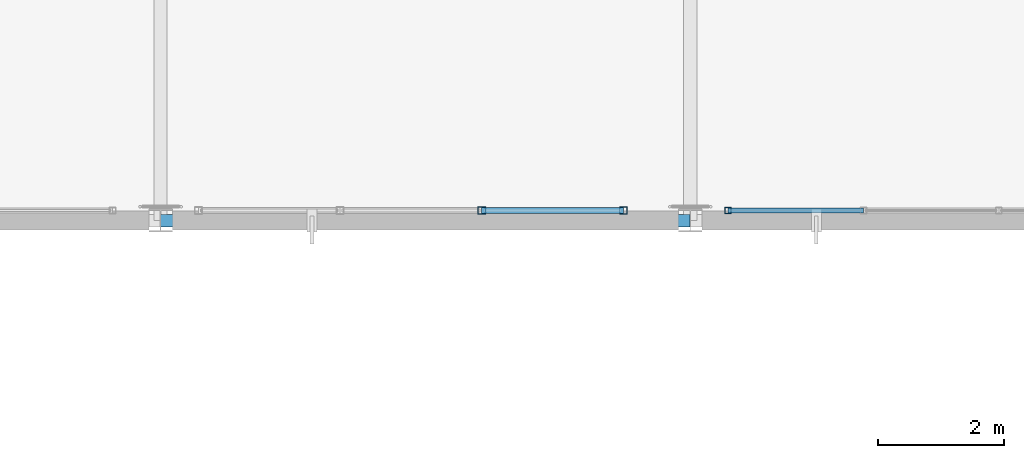
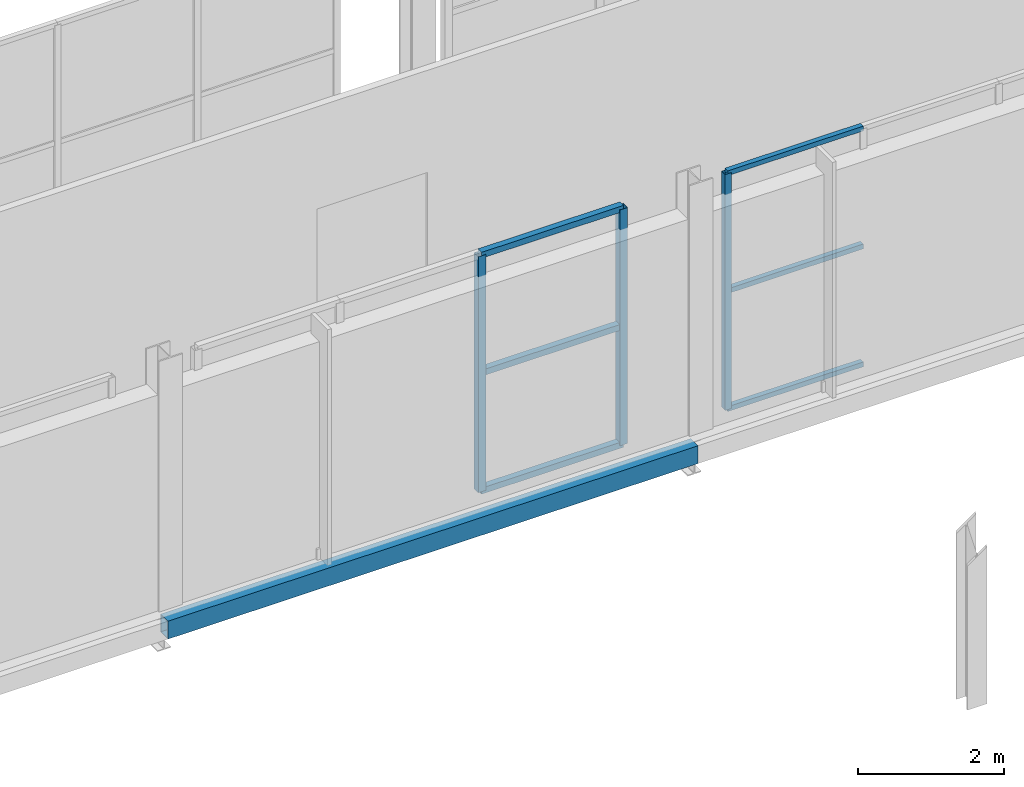
# One storey, part 46 of 217: 9 members, 1 beam, 2 elements without a shape of their own.
"""IFC4 building model written with IfcOpenShell, lengths in metres."""

from ifc_helpers import new_model, si_unit, direction, frame, origin, origin_2d, place, context, subcontext, project, spatial, hollow_rectangle, extrude, material, material_profile, profile_set, type_object, element, aggregate, save


model = new_model("IFC4")

# Units and contexts
model_context = context("Model", 3, precision=1e-05, world=origin(), true_north=direction((0.0, 1.0)))
body_context = subcontext(model_context, "Body", "Model", "MODEL_VIEW")
ifc_project = project(units=[si_unit("LENGTHUNIT", "METRE"), si_unit("AREAUNIT", "SQUARE_METRE"), si_unit("VOLUMEUNIT", "CUBIC_METRE"), si_unit("PLANEANGLEUNIT", "RADIAN"), si_unit("MASSUNIT", "GRAM", prefix="KILO")], contexts=[model_context])

# Site, building, storey
site_placement = place(None, origin())
site = spatial("IfcSite", under=ifc_project, at=site_placement, CompositionType="ELEMENT")
building_placement = place(site_placement, origin())
building = spatial("IfcBuilding", under=site, at=building_placement, Name="Zuvorla Pavilion Media Centre", CompositionType="ELEMENT")
storey_placement = place(building_placement, frame((0.0, 0.0, 9.60009765625)))
storey = spatial("IfcBuildingStorey", under=building, at=storey_placement, Name="L02", CompositionType="ELEMENT", Elevation=9.60009765625)

# Beam
ifc_material_1 = material(Name="Steel S355", Category="steel")
ifc_material_profile_1 = material_profile(ifc_material_1, hollow_rectangle(XDim=0.199951171875, YDim=0.300048828125, WallThickness=0.012451171875, at=origin_2d()), Name="RHS 300x200x12.5")
ifc_profile_set_1 = profile_set([ifc_material_profile_1], Name="Steel S355")
beam_type = type_object("IfcBeamType", Name="BM-SP-RHS300", PredefinedType="SPANDREL", material=ifc_profile_set_1)
beam_placement = place(storey_placement, frame((125.60009765625, 44.0, -0.418212890625), z_axis=(1.0, 0.0, 0.0), x_axis=(0.0, 1.0, 0.0)))
element("IfcBeam", 1, at=beam_placement, inside=storey, type_object=beam_type, Name="L02 spandrel SP01 831", PredefinedType="SPANDREL", context=body_context, shape_type="SweptSolid", body=[
    extrude(hollow_rectangle(XDim=0.199951171875, YDim=0.300048828125, WallThickness=0.012451171875, at=origin_2d()), origin(), (0.0, 0.0, 1.0), 8.39990234375),
])

# Curtain wall, member
ifc_material_2 = material(Name="Unitised anodised aluminium and solar glass curtain wall", Category="aluminium")
curtain_wall_type_1 = type_object("IfcCurtainWallType", Name="CW-SYS-13", PredefinedType="USERDEFINED", material=ifc_material_2)
curtain_wall_1_placement = place(storey_placement, origin())
curtain_wall_1 = element("IfcCurtainWall", 2, at=curtain_wall_1_placement, inside=storey, type_object=curtain_wall_type_1, Name="L02 curtain wall CW13 46", ObjectType="CURTAIN WALL", PredefinedType="USERDEFINED")
ifc_material_3 = material(Name="Anodised aluminium 6063-T6", Category="aluminium")
ifc_material_profile_2 = material_profile(ifc_material_3, hollow_rectangle(XDim=0.10009765625, YDim=0.10009765625, WallThickness=0.00439453125, at=origin_2d()), Name="ALU MULL 100x100")
ifc_profile_set_2 = profile_set([ifc_material_profile_2], Name="Anodised aluminium 6063-T6")
member_type_1 = type_object("IfcMemberType", Name="CW-MULL-100", PredefinedType="MULLION", material=ifc_profile_set_2)
member_1_placement = place(storey_placement, frame((134.60009765625, 44.159912109375, 0.0), z_axis=(0.0, 0.0, 1.0), x_axis=(1.0, 0.0, 0.0)))
member_1 = element("IfcMember", 3, at=member_1_placement, type_object=member_type_1, Name="CW13 mullion 1", PredefinedType="MULLION", context=body_context, shape_type="SweptSolid", body=[
    extrude(hollow_rectangle(XDim=0.10009765625, YDim=0.10009765625, WallThickness=0.00439453125, at=origin_2d()), origin(), (0.0, 0.0, 1.0), 3.949951171875),
])

# Curtain wall, members
curtain_wall_type_2 = type_object("IfcCurtainWallType", Name="CW-SYS-26", PredefinedType="USERDEFINED", material=ifc_material_2)
curtain_wall_2_placement = place(storey_placement, origin())
curtain_wall_2 = element("IfcCurtainWall", 4, at=curtain_wall_2_placement, inside=storey, type_object=curtain_wall_type_2, Name="L02 curtain wall CW26 45", ObjectType="CURTAIN WALL", PredefinedType="USERDEFINED")
ifc_material_profile_3 = material_profile(ifc_material_3, hollow_rectangle(XDim=0.1201171875, YDim=0.1201171875, WallThickness=0.0048828125, at=origin_2d()), Name="ALU MULL 120x120")
ifc_profile_set_3 = profile_set([ifc_material_profile_3], Name="Anodised aluminium 6063-T6")
member_type_2 = type_object("IfcMemberType", Name="CW-MULL-120", PredefinedType="MULLION", material=ifc_profile_set_3)
member_2_placement = place(storey_placement, frame((130.693359375, 44.159912109375, 0.0), z_axis=(0.0, 0.0, 1.0), x_axis=(1.0, 0.0, 0.0)))
member_2 = element("IfcMember", 5, at=member_2_placement, type_object=member_type_2, Name="CW26 mullion 3", PredefinedType="MULLION", context=body_context, shape_type="SweptSolid", body=[
    extrude(hollow_rectangle(XDim=0.1201171875, YDim=0.1201171875, WallThickness=0.0048828125, at=origin_2d()), origin(), (0.0, 0.0, 1.0), 3.949951171875),
])
member_3_placement = place(storey_placement, frame((132.93994140625, 44.159912109375, 0.0), z_axis=(0.0, 0.0, 1.0), x_axis=(1.0, 0.0, 0.0)))
member_3 = element("IfcMember", 6, at=member_3_placement, type_object=member_type_2, Name="CW26 mullion 4", PredefinedType="MULLION", context=body_context, shape_type="SweptSolid", body=[
    extrude(hollow_rectangle(XDim=0.1201171875, YDim=0.1201171875, WallThickness=0.0048828125, at=origin_2d()), origin(), (0.0, 0.0, 1.0), 3.949951171875),
])
ifc_material_profile_4 = material_profile(ifc_material_3, hollow_rectangle(XDim=0.10009765625, YDim=0.10009765625, WallThickness=0.00439453125, at=origin_2d()), Name="ALU TRAN 100x100")
ifc_profile_set_4 = profile_set([ifc_material_profile_4], Name="Anodised aluminium 6063-T6")
member_type_3 = type_object("IfcMemberType", Name="CW-TRAN-100", PredefinedType="USERDEFINED", material=ifc_profile_set_4)
member_4_placement = place(storey_placement, frame((130.693359375, 44.159912109375, 0.0), z_axis=(1.0, 0.0, 0.0), x_axis=(0.0, 1.0, 0.0)))
member_4 = element("IfcMember", 7, at=member_4_placement, type_object=member_type_3, Name="CW26 transom 3.1", ObjectType="TRANSOM", PredefinedType="USERDEFINED", context=body_context, shape_type="SweptSolid", body=[
    extrude(hollow_rectangle(XDim=0.10009765625, YDim=0.10009765625, WallThickness=0.00439453125, at=origin_2d()), origin(), (0.0, 0.0, 1.0), 2.24658203125),
])
member_5_placement = place(storey_placement, frame((130.693359375, 44.159912109375, 1.974853515625), z_axis=(1.0, 0.0, 0.0), x_axis=(0.0, 1.0, 0.0)))
member_5 = element("IfcMember", 8, at=member_5_placement, type_object=member_type_3, Name="CW26 transom 3.2", ObjectType="TRANSOM", PredefinedType="USERDEFINED", context=body_context, shape_type="SweptSolid", body=[
    extrude(hollow_rectangle(XDim=0.10009765625, YDim=0.10009765625, WallThickness=0.00439453125, at=origin_2d()), origin(), (0.0, 0.0, 1.0), 2.24658203125),
])
member_6_placement = place(storey_placement, frame((130.693359375, 44.159912109375, 3.949951171875), z_axis=(1.0, 0.0, 0.0), x_axis=(0.0, 1.0, 0.0)))
member_6 = element("IfcMember", 9, at=member_6_placement, type_object=member_type_3, Name="CW26 transom 3.3", ObjectType="TRANSOM", PredefinedType="USERDEFINED", context=body_context, shape_type="SweptSolid", body=[
    extrude(hollow_rectangle(XDim=0.10009765625, YDim=0.10009765625, WallThickness=0.00439453125, at=origin_2d()), origin(), (0.0, 0.0, 1.0), 2.24658203125),
])
aggregate(curtain_wall_2, [member_2, member_3, member_4, member_5, member_6])

# Member
ifc_material_profile_5 = material_profile(ifc_material_3, hollow_rectangle(XDim=0.080078125, YDim=0.080078125, WallThickness=0.00390625, at=origin_2d()), Name="ALU TRAN 80x80")
ifc_profile_set_5 = profile_set([ifc_material_profile_5], Name="Anodised aluminium 6063-T6")
member_type_4 = type_object("IfcMemberType", Name="CW-TRAN-80", PredefinedType="USERDEFINED", material=ifc_profile_set_5)
member_7_placement = place(storey_placement, frame((134.60009765625, 44.159912109375, 0.0), z_axis=(1.0, 0.0, 0.0), x_axis=(0.0, 1.0, 0.0)))
member_7 = element("IfcMember", 10, at=member_7_placement, type_object=member_type_4, Name="CW13 transom 1.1", ObjectType="TRANSOM", PredefinedType="USERDEFINED", context=body_context, shape_type="SweptSolid", body=[
    extrude(hollow_rectangle(XDim=0.080078125, YDim=0.080078125, WallThickness=0.00390625, at=origin_2d()), origin(), (0.0, 0.0, 1.0), 2.146728515625),
])

member_8_placement = place(storey_placement, frame((134.60009765625, 44.159912109375, 1.974853515625), z_axis=(1.0, 0.0, 0.0), x_axis=(0.0, 1.0, 0.0)))
member_8 = element("IfcMember", 11, at=member_8_placement, type_object=member_type_4, Name="CW13 transom 1.2", ObjectType="TRANSOM", PredefinedType="USERDEFINED", context=body_context, shape_type="SweptSolid", body=[
    extrude(hollow_rectangle(XDim=0.080078125, YDim=0.080078125, WallThickness=0.00390625, at=origin_2d()), origin(), (0.0, 0.0, 1.0), 2.146728515625),
])

member_9_placement = place(storey_placement, frame((134.60009765625, 44.159912109375, 3.949951171875), z_axis=(1.0, 0.0, 0.0), x_axis=(0.0, 1.0, 0.0)))
member_9 = element("IfcMember", 12, at=member_9_placement, type_object=member_type_4, Name="CW13 transom 1.3", ObjectType="TRANSOM", PredefinedType="USERDEFINED", context=body_context, shape_type="SweptSolid", body=[
    extrude(hollow_rectangle(XDim=0.080078125, YDim=0.080078125, WallThickness=0.00390625, at=origin_2d()), origin(), (0.0, 0.0, 1.0), 2.146728515625),
])

aggregate(curtain_wall_1, [member_1, member_7, member_8, member_9])

save(model, "model.ifc")
